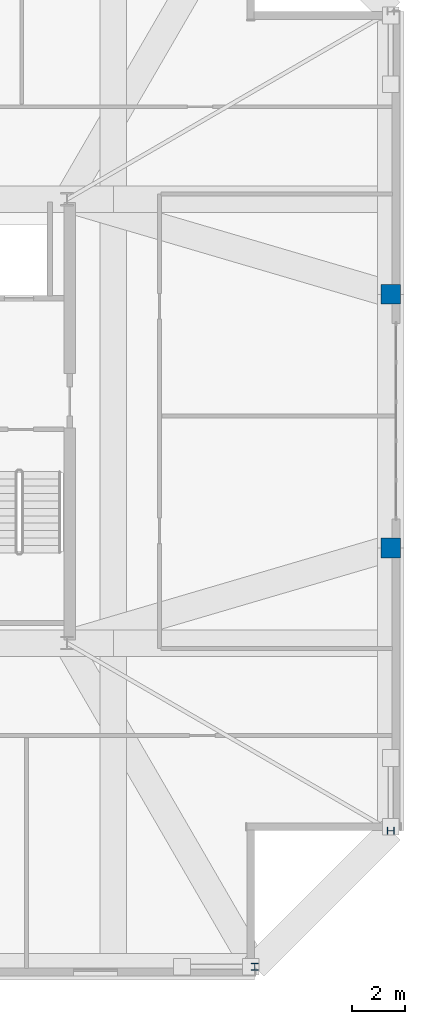
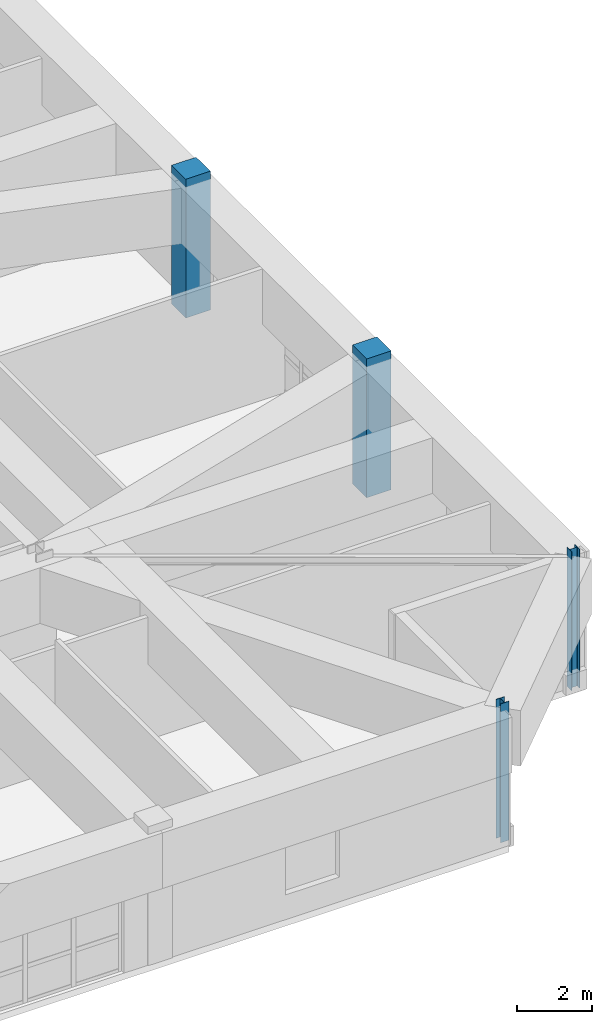
# One storey, part 3 of 17: 4 columns.
"""IFC4 building model written with IfcOpenShell, lengths in metres."""

from ifc_helpers import new_model, si_unit, direction, frame, origin, origin_2d, place, context, subcontext, project, spatial, rectangle, i_section, extrude, material, material_profile, profile_set, type_object, element, save


model = new_model("IFC4")

# Units and contexts
model_context = context("Model", 3, precision=1e-05, world=origin(), true_north=direction((0.0, 1.0)))
body_context = subcontext(model_context, "Body", "Model", "MODEL_VIEW")
ifc_project = project(units=[si_unit("LENGTHUNIT", "METRE"), si_unit("AREAUNIT", "SQUARE_METRE"), si_unit("VOLUMEUNIT", "CUBIC_METRE"), si_unit("PLANEANGLEUNIT", "RADIAN"), si_unit("MASSUNIT", "GRAM", prefix="KILO")], contexts=[model_context])

# Site, building, storey
site_placement = place(None, origin())
site = spatial("IfcSite", under=ifc_project, at=site_placement, CompositionType="ELEMENT")
building_placement = place(site_placement, origin())
building = spatial("IfcBuilding", under=site, at=building_placement, Name="Cairnveth Concourse Tower", CompositionType="ELEMENT")
storey_placement = place(building_placement, frame((0.0, 0.0, 320.0)))
storey = spatial("IfcBuildingStorey", under=building, at=storey_placement, Name="L88", CompositionType="ELEMENT", Elevation=320.0)

# Columns
ifc_material_1 = material(Name="Concrete N50 (50 MPa)", Category="concrete")
ifc_material_profile_1 = material_profile(ifc_material_1, rectangle(XDim=0.75, YDim=0.75, at=origin_2d()), Name="RC-COL-750x750")
ifc_profile_set_1 = profile_set([ifc_material_profile_1], Name="Concrete N50 (50 MPa)")
column_type_1 = type_object("IfcColumnType", Name="PERIMETER PIER COLUMN 750X750", PredefinedType="COLUMN", material=ifc_profile_set_1)
for number, where, z_axis, x_axis, name in (
    (1, (72.64990234375, 34.199951171875, 0.0), (0.0, 0.0, 1.0), (0.0, 1.0, 0.0), "Column P-E2 L88"),
    (2, (72.64990234375, 43.800048828125, 0.0), (0.0, 0.0, 1.0), (0.0, 1.0, 0.0), "Column P-E3 L88"),
):
    element("IfcColumn", number, at=place(storey_placement, frame(where, z_axis=z_axis, x_axis=x_axis)), inside=storey, type_object=column_type_1, Name=name, PredefinedType="COLUMN", context=body_context, shape_type="SweptSolid", body=[
        extrude(rectangle(XDim=0.75, YDim=0.75, at=origin_2d()), origin(), (0.0, 0.0, 1.0), 4.5),
    ])
ifc_material_2 = material(Name="Steel Grade 350", Category="steel")
ifc_material_profile_2 = material_profile(ifc_material_2, i_section(OverallWidth=0.25390625, OverallDepth=0.25390625, WebThickness=0.008544921875, FlangeThickness=0.01416015625, FilletRadius=0.012939453125, at=origin_2d()), Name="250UC72.9")
ifc_profile_set_2 = profile_set([ifc_material_profile_2], Name="Steel Grade 350")
column_type_2 = type_object("IfcColumnType", Name="UNIVERSAL STEEL COLUMN 250UC72.9", PredefinedType="COLUMN", material=ifc_profile_set_2)
for number, where, z_axis, x_axis, name in (
    (3, (67.5, 18.35009765625, 0.0), (0.0, 0.0, 1.0), (1.0, 0.0, 0.0), "Column P-S4 L88"),
    (4, (72.64990234375, 23.5, 0.0), (0.0, 0.0, 1.0), (0.0, 1.0, 0.0), "Column P-E1 L88"),
):
    element("IfcColumn", number, at=place(storey_placement, frame(where, z_axis=z_axis, x_axis=x_axis)), inside=storey, type_object=column_type_2, Name=name, PredefinedType="COLUMN", context=body_context, shape_type="SweptSolid", body=[
        extrude(i_section(OverallWidth=0.25390625, OverallDepth=0.25390625, WebThickness=0.008544921875, FlangeThickness=0.01416015625, FilletRadius=0.012939453125, at=origin_2d()), origin(), (0.0, 0.0, 1.0), 4.5),
    ])

save(model, "model.ifc")
